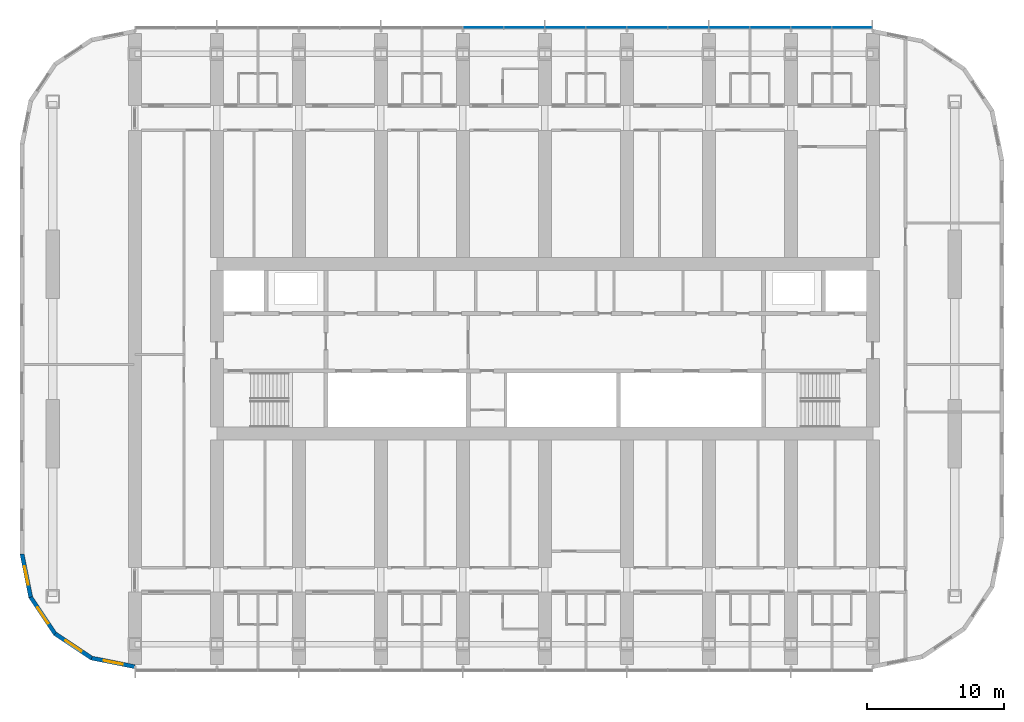
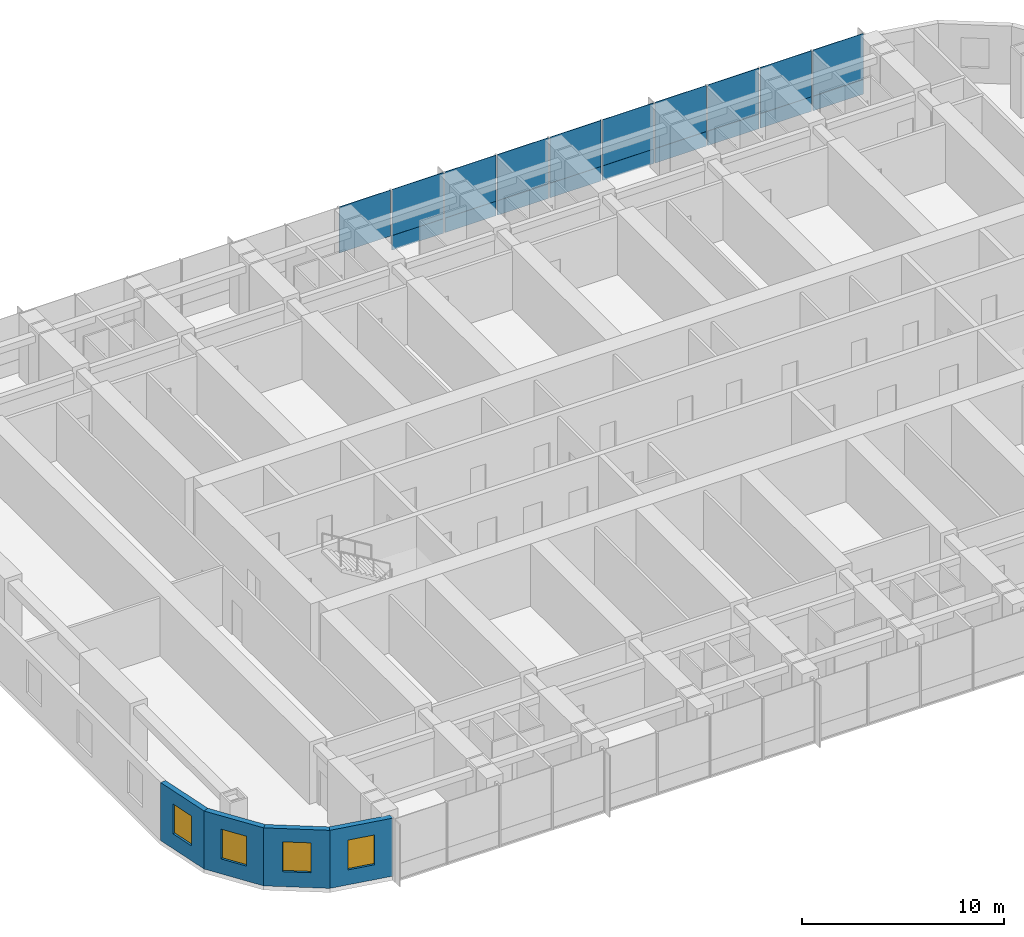
# One storey, part 7 of 21: 19 plates, 4 walls, 4 windows, 4 openings, 1 element without a shape of its own.
"""IFC4 building model written with IfcOpenShell, lengths in metres."""

from ifc_helpers import new_model, si_unit, direction, frame, frame_2d, origin, origin_2d, place, context, subcontext, project, spatial, polyline, rectangle, outline, extrude, material, layer, layer_set, type_object, element, fill, aggregate, save


model = new_model("IFC4")

# Units and contexts
model_context = context("Model", 3, precision=1e-05, world=origin(), true_north=direction((0.0, 1.0)))
body_context = subcontext(model_context, "Body", "Model", "MODEL_VIEW")
ifc_project = project(units=[si_unit("LENGTHUNIT", "METRE"), si_unit("AREAUNIT", "SQUARE_METRE"), si_unit("VOLUMEUNIT", "CUBIC_METRE"), si_unit("PLANEANGLEUNIT", "RADIAN"), si_unit("MASSUNIT", "GRAM", prefix="KILO")], contexts=[model_context])

# Site, building, storey
site_placement = place(None, origin())
site = spatial("IfcSite", under=ifc_project, at=site_placement, CompositionType="ELEMENT")
building_placement = place(site_placement, origin())
building = spatial("IfcBuilding", under=site, at=building_placement, Name="Orbita Commons", CompositionType="ELEMENT")
storey_placement = place(building_placement, frame((0.0, 0.0, 91.89990234375)))
storey = spatial("IfcBuildingStorey", under=building, at=storey_placement, Name="L22", CompositionType="ELEMENT", Elevation=91.89990234375)

# Curtain wall, plates
ifc_material_1 = material(Name="Anodised aluminium frame, pale silver", Category="aluminium")
curtain_wall_type = type_object("IfcCurtainWallType", Name="Unitised curtain wall CW-T, vision and spandrel", PredefinedType="NOTDEFINED", material=ifc_material_1)
curtain_wall_placement = place(storey_placement, origin())
curtain_wall = element("IfcCurtainWall", 1, at=curtain_wall_placement, inside=storey, type_object=curtain_wall_type, Name="Curtain wall north L22", PredefinedType="NOTDEFINED")
ifc_material_2 = material(Name="Anodised aluminium sheet on mineral wool", Category="aluminium")
ifc_layer_1 = layer(ifc_material_2, 0.050048828125)
ifc_layer_set_1 = layer_set([ifc_layer_1], Name="Anodised aluminium sheet on mineral wool")
plate_type_1 = type_object("IfcPlateType", Name="Spandrel panel, pale aluminium over insulation 50", PredefinedType="CURTAIN_PANEL", material=ifc_layer_set_1)
plate_1_placement = place(storey_placement, frame((64.47998046875, 55.510009765625, -0.14990234375), z_axis=(0.0, 0.0, 1.0), x_axis=(-1.0, 0.0, 0.0)))
plate_1 = element("IfcPlate", 2, at=plate_1_placement, type_object=plate_type_1, Name="Panel 1.1 CW-L22-N", PredefinedType="CURTAIN_PANEL", context=body_context, shape_type="SweptSolid", body=[
    extrude(rectangle(XDim=2.8798828125, YDim=0.050048828125, at=origin_2d()), origin(), (0.0, 0.0, 1.0), 0.875),
])
plate_2_placement = place(storey_placement, frame((61.5, 55.510009765625, -0.14990234375), z_axis=(0.0, 0.0, 1.0), x_axis=(-1.0, 0.0, 0.0)))
plate_2 = element("IfcPlate", 3, at=plate_2_placement, type_object=plate_type_1, Name="Panel 2.1 CW-L22-N", PredefinedType="CURTAIN_PANEL", context=body_context, shape_type="SweptSolid", body=[
    extrude(rectangle(XDim=2.919921875, YDim=0.050048828125, at=origin_2d()), origin(), (0.0, 0.0, 1.0), 0.875),
])
plate_3_placement = place(storey_placement, frame((58.5, 55.510009765625, -0.14990234375), z_axis=(0.0, 0.0, 1.0), x_axis=(-1.0, 0.0, 0.0)))
plate_3 = element("IfcPlate", 4, at=plate_3_placement, type_object=plate_type_1, Name="Panel 3.1 CW-L22-N", PredefinedType="CURTAIN_PANEL", context=body_context, shape_type="SweptSolid", body=[
    extrude(rectangle(XDim=2.919921875, YDim=0.050048828125, at=origin_2d()), origin(), (0.0, 0.0, 1.0), 0.875),
])
plate_4_placement = place(storey_placement, frame((55.5, 55.510009765625, -0.14990234375), z_axis=(0.0, 0.0, 1.0), x_axis=(-1.0, 0.0, 0.0)))
plate_4 = element("IfcPlate", 5, at=plate_4_placement, type_object=plate_type_1, Name="Panel 4.1 CW-L22-N", PredefinedType="CURTAIN_PANEL", context=body_context, shape_type="SweptSolid", body=[
    extrude(rectangle(XDim=2.919921875, YDim=0.050048828125, at=origin_2d()), origin(), (0.0, 0.0, 1.0), 0.875),
])
plate_5_placement = place(storey_placement, frame((52.5, 55.510009765625, -0.14990234375), z_axis=(0.0, 0.0, 1.0), x_axis=(-1.0, 0.0, 0.0)))
plate_5 = element("IfcPlate", 6, at=plate_5_placement, type_object=plate_type_1, Name="Panel 5.1 CW-L22-N", PredefinedType="CURTAIN_PANEL", context=body_context, shape_type="SweptSolid", body=[
    extrude(rectangle(XDim=2.919921875, YDim=0.050048828125, at=origin_2d()), origin(), (0.0, 0.0, 1.0), 0.875),
])
plate_6_placement = place(storey_placement, frame((49.5, 55.510009765625, -0.14990234375), z_axis=(0.0, 0.0, 1.0), x_axis=(-1.0, 0.0, 0.0)))
plate_6 = element("IfcPlate", 7, at=plate_6_placement, type_object=plate_type_1, Name="Panel 6.1 CW-L22-N", PredefinedType="CURTAIN_PANEL", context=body_context, shape_type="SweptSolid", body=[
    extrude(rectangle(XDim=2.919921875, YDim=0.050048828125, at=origin_2d()), origin(), (0.0, 0.0, 1.0), 0.875),
])
plate_7_placement = place(storey_placement, frame((46.5, 55.510009765625, -0.14990234375), z_axis=(0.0, 0.0, 1.0), x_axis=(-1.0, 0.0, 0.0)))
plate_7 = element("IfcPlate", 8, at=plate_7_placement, type_object=plate_type_1, Name="Panel 7.1 CW-L22-N", PredefinedType="CURTAIN_PANEL", context=body_context, shape_type="SweptSolid", body=[
    extrude(rectangle(XDim=2.919921875, YDim=0.050048828125, at=origin_2d()), origin(), (0.0, 0.0, 1.0), 0.875),
])
plate_8_placement = place(storey_placement, frame((43.5, 55.510009765625, -0.14990234375), z_axis=(0.0, 0.0, 1.0), x_axis=(-1.0, 0.0, 0.0)))
plate_8 = element("IfcPlate", 9, at=plate_8_placement, type_object=plate_type_1, Name="Panel 8.1 CW-L22-N", PredefinedType="CURTAIN_PANEL", context=body_context, shape_type="SweptSolid", body=[
    extrude(rectangle(XDim=2.919921875, YDim=0.050048828125, at=origin_2d()), origin(), (0.0, 0.0, 1.0), 0.875),
])
plate_9_placement = place(storey_placement, frame((40.5, 55.510009765625, -0.14990234375), z_axis=(0.0, 0.0, 1.0), x_axis=(-1.0, 0.0, 0.0)))
plate_9 = element("IfcPlate", 10, at=plate_9_placement, type_object=plate_type_1, Name="Panel 9.1 CW-L22-N", PredefinedType="CURTAIN_PANEL", context=body_context, shape_type="SweptSolid", body=[
    extrude(rectangle(XDim=2.919921875, YDim=0.050048828125, at=origin_2d()), origin(), (0.0, 0.0, 1.0), 0.875),
])
ifc_material_3 = material(Name="Clear double glazing", Category="glass")
ifc_layer_2 = layer(ifc_material_3, 0.031982421875)
ifc_layer_set_2 = layer_set([ifc_layer_2], Name="Clear double glazing")
plate_type_2 = type_object("IfcPlateType", Name="Vision panel, clear double glazing 32", PredefinedType="CURTAIN_PANEL", material=ifc_layer_set_2)
plate_10_placement = place(storey_placement, frame((64.47998046875, 55.510009765625, 0.72509765625), z_axis=(0.0, 0.0, 1.0), x_axis=(-1.0, 0.0, 0.0)))
plate_10 = element("IfcPlate", 11, at=plate_10_placement, type_object=plate_type_2, Name="Panel 1.2 CW-L22-N", PredefinedType="CURTAIN_PANEL", context=body_context, shape_type="SweptSolid", body=[
    extrude(rectangle(XDim=2.8798828125, YDim=0.031982421875, at=origin_2d()), origin(), (0.0, 0.0, 1.0), 2.77490234375),
])
plate_11_placement = place(storey_placement, frame((61.5, 55.510009765625, 0.72509765625), z_axis=(0.0, 0.0, 1.0), x_axis=(-1.0, 0.0, 0.0)))
plate_11 = element("IfcPlate", 12, at=plate_11_placement, type_object=plate_type_2, Name="Panel 2.2 CW-L22-N", PredefinedType="CURTAIN_PANEL", context=body_context, shape_type="SweptSolid", body=[
    extrude(rectangle(XDim=2.919921875, YDim=0.031982421875, at=origin_2d()), origin(), (0.0, 0.0, 1.0), 2.77490234375),
])
plate_12_placement = place(storey_placement, frame((58.5, 55.510009765625, 0.72509765625), z_axis=(0.0, 0.0, 1.0), x_axis=(-1.0, 0.0, 0.0)))
plate_12 = element("IfcPlate", 13, at=plate_12_placement, type_object=plate_type_2, Name="Panel 3.2 CW-L22-N", PredefinedType="CURTAIN_PANEL", context=body_context, shape_type="SweptSolid", body=[
    extrude(rectangle(XDim=2.919921875, YDim=0.031982421875, at=origin_2d()), origin(), (0.0, 0.0, 1.0), 2.77490234375),
])
plate_13_placement = place(storey_placement, frame((55.5, 55.510009765625, 0.72509765625), z_axis=(0.0, 0.0, 1.0), x_axis=(-1.0, 0.0, 0.0)))
plate_13 = element("IfcPlate", 14, at=plate_13_placement, type_object=plate_type_2, Name="Panel 4.2 CW-L22-N", PredefinedType="CURTAIN_PANEL", context=body_context, shape_type="SweptSolid", body=[
    extrude(rectangle(XDim=2.919921875, YDim=0.031982421875, at=origin_2d()), origin(), (0.0, 0.0, 1.0), 2.77490234375),
])
plate_14_placement = place(storey_placement, frame((52.5, 55.510009765625, 0.72509765625), z_axis=(0.0, 0.0, 1.0), x_axis=(-1.0, 0.0, 0.0)))
plate_14 = element("IfcPlate", 15, at=plate_14_placement, type_object=plate_type_2, Name="Panel 5.2 CW-L22-N", PredefinedType="CURTAIN_PANEL", context=body_context, shape_type="SweptSolid", body=[
    extrude(rectangle(XDim=2.919921875, YDim=0.031982421875, at=origin_2d()), origin(), (0.0, 0.0, 1.0), 2.77490234375),
])
plate_15_placement = place(storey_placement, frame((49.5, 55.510009765625, 0.72509765625), z_axis=(0.0, 0.0, 1.0), x_axis=(-1.0, 0.0, 0.0)))
plate_15 = element("IfcPlate", 16, at=plate_15_placement, type_object=plate_type_2, Name="Panel 6.2 CW-L22-N", PredefinedType="CURTAIN_PANEL", context=body_context, shape_type="SweptSolid", body=[
    extrude(rectangle(XDim=2.919921875, YDim=0.031982421875, at=origin_2d()), origin(), (0.0, 0.0, 1.0), 2.77490234375),
])
plate_16_placement = place(storey_placement, frame((46.5, 55.510009765625, 0.72509765625), z_axis=(0.0, 0.0, 1.0), x_axis=(-1.0, 0.0, 0.0)))
plate_16 = element("IfcPlate", 17, at=plate_16_placement, type_object=plate_type_2, Name="Panel 7.2 CW-L22-N", PredefinedType="CURTAIN_PANEL", context=body_context, shape_type="SweptSolid", body=[
    extrude(rectangle(XDim=2.919921875, YDim=0.031982421875, at=origin_2d()), origin(), (0.0, 0.0, 1.0), 2.77490234375),
])
plate_17_placement = place(storey_placement, frame((43.5, 55.510009765625, 0.72509765625), z_axis=(0.0, 0.0, 1.0), x_axis=(-1.0, 0.0, 0.0)))
plate_17 = element("IfcPlate", 18, at=plate_17_placement, type_object=plate_type_2, Name="Panel 8.2 CW-L22-N", PredefinedType="CURTAIN_PANEL", context=body_context, shape_type="SweptSolid", body=[
    extrude(rectangle(XDim=2.919921875, YDim=0.031982421875, at=origin_2d()), origin(), (0.0, 0.0, 1.0), 2.77490234375),
])
plate_18_placement = place(storey_placement, frame((40.5, 55.510009765625, 0.72509765625), z_axis=(0.0, 0.0, 1.0), x_axis=(-1.0, 0.0, 0.0)))
plate_18 = element("IfcPlate", 19, at=plate_18_placement, type_object=plate_type_2, Name="Panel 9.2 CW-L22-N", PredefinedType="CURTAIN_PANEL", context=body_context, shape_type="SweptSolid", body=[
    extrude(rectangle(XDim=2.919921875, YDim=0.031982421875, at=origin_2d()), origin(), (0.0, 0.0, 1.0), 2.77490234375),
])
plate_19_placement = place(storey_placement, frame((37.5, 55.510009765625, 0.72509765625), z_axis=(0.0, 0.0, 1.0), x_axis=(-1.0, 0.0, 0.0)))
plate_19 = element("IfcPlate", 20, at=plate_19_placement, type_object=plate_type_2, Name="Panel 10.2 CW-L22-N", PredefinedType="CURTAIN_PANEL", context=body_context, shape_type="SweptSolid", body=[
    extrude(rectangle(XDim=2.919921875, YDim=0.031982421875, at=origin_2d()), origin(), (0.0, 0.0, 1.0), 2.77490234375),
])
aggregate(curtain_wall, [plate_1, plate_10, plate_2, plate_11, plate_3, plate_12, plate_4, plate_13, plate_5, plate_14, plate_6, plate_15, plate_7, plate_16, plate_8, plate_17, plate_9, plate_18, plate_19])

# Wall, opening, window
ifc_material_4 = material(Name="Precast concrete C40/50, white board-marked finish", Category="concrete")
ifc_layer_3 = layer(ifc_material_4, 0.300048828125)
ifc_layer_set_3 = layer_set([ifc_layer_3], Name="Precast concrete C40/50, white board-marked finish")
wall_type = type_object("IfcWallType", Name="Precast concrete end shield 300", PredefinedType="SOLIDWALL", material=ifc_layer_set_3)
wall_1_placement = place(storey_placement, frame((3.75, 17.0, 0.0), z_axis=(0.0, 0.0, 1.0), x_axis=(0.195080412259, -0.980787251524, 0.0)))
wall_1 = element("IfcWall", 21, at=wall_1_placement, inside=storey, type_object=wall_type, Name="End shield SW chord 1 L22", PredefinedType="SOLIDWALL", context=body_context, shape_type="SweptSolid", body=[
    extrude(outline(polyline([(-0.014892578125, -0.14990234375), (3.24853515625, -0.14990234375), (3.18896484375, 0.14990234375), (0.014892578125, 0.14990234375), (-0.014892578125, -0.14990234375)])), origin(), (0.0, 0.0, 1.0), 3.5),
])
opening_1_placement = place(wall_1_placement, frame((0.909423828125, 0.0, 0.89990234375)))
opening_1 = element("IfcOpeningElement", 22, at=opening_1_placement, cuts=wall_1, Name="Opening W02", PredefinedType="OPENING", context=body_context, shape_type="SweptSolid", body=[
    extrude(rectangle(XDim=1.39990234375, YDim=1.800048828125, at=frame_2d((0.699951171875, 0.89990234375))), frame((0.0, 0.159912109375, 0.0), z_axis=(0.0, -1.0, 0.0), x_axis=(1.0, 0.0, 0.0)), (0.0, 0.0, 1.0), 0.320068359375),
])
ifc_material_5 = material(Name="Aluminium frame, clear double glazing", Category="aluminium")
window_type = type_object("IfcWindowType", Name="Deep-set window 1400x1800", PartitioningType="SINGLE_PANEL", PredefinedType="WINDOW", material=ifc_material_5)
window_1_placement = place(opening_1_placement, origin())
window_1 = element("IfcWindow", 23, at=window_1_placement, inside=storey, type_object=window_type, Name="Window L22-SW0", OverallHeight=1.800048828125, OverallWidth=1.39990234375, PartitioningType="SINGLE_PANEL", PredefinedType="WINDOW", context=body_context, shape_type="SweptSolid", body=[
    extrude(rectangle(XDim=1.39990234375, YDim=1.800048828125, at=frame_2d((0.699951171875, 0.89990234375))), frame((0.0, 0.030029296875, 0.0), z_axis=(0.0, -1.0, 0.0), x_axis=(1.0, 0.0, 0.0)), (0.0, 0.0, 1.0), 0.06005859375),
])
fill(opening_1, window_1)

wall_2_placement = place(storey_placement, frame((4.3779296875, 13.843017578125, 0.0), z_axis=(0.0, 0.0, 1.0), x_axis=(0.555609954424, -0.831443069936, 0.0)))
wall_2 = element("IfcWall", 24, at=wall_2_placement, inside=storey, type_object=wall_type, Name="End shield SW chord 2 L22", PredefinedType="SOLIDWALL", context=body_context, shape_type="SweptSolid", body=[
    extrude(outline(polyline([(-0.02978515625, -0.14990234375), (3.2490234375, -0.14990234375), (3.189453125, 0.14990234375), (0.02978515625, 0.14990234375), (-0.02978515625, -0.14990234375)])), origin(), (0.0, 0.0, 1.0), 3.5),
])
opening_2_placement = place(wall_2_placement, frame((0.909423828125, 0.0, 0.89990234375)))
opening_2 = element("IfcOpeningElement", 25, at=opening_2_placement, cuts=wall_2, Name="Opening W02", PredefinedType="OPENING", context=body_context, shape_type="SweptSolid", body=[
    extrude(rectangle(XDim=1.39990234375, YDim=1.800048828125, at=frame_2d((0.699951171875, 0.89990234375))), frame((0.0, 0.159912109375, 0.0), z_axis=(0.0, -1.0, 0.0), x_axis=(1.0, 0.0, 0.0)), (0.0, 0.0, 1.0), 0.320068359375),
])
window_2_placement = place(opening_2_placement, origin())
window_2 = element("IfcWindow", 26, at=window_2_placement, inside=storey, type_object=window_type, Name="Window L22-SW1", OverallHeight=1.800048828125, OverallWidth=1.39990234375, PartitioningType="SINGLE_PANEL", PredefinedType="WINDOW", context=body_context, shape_type="SweptSolid", body=[
    extrude(rectangle(XDim=1.39990234375, YDim=1.800048828125, at=frame_2d((0.699951171875, 0.89990234375))), frame((0.0, 0.030029296875, 0.0), z_axis=(0.0, -1.0, 0.0), x_axis=(1.0, 0.0, 0.0)), (0.0, 0.0, 1.0), 0.06005859375),
])
fill(opening_2, window_2)

wall_3_placement = place(storey_placement, frame((6.16650390625, 11.16650390625, 0.0), z_axis=(0.0, 0.0, 1.0), x_axis=(0.831443069936, -0.555609954424, 0.0)))
wall_3 = element("IfcWall", 27, at=wall_3_placement, inside=storey, type_object=wall_type, Name="End shield SW chord 3 L22", PredefinedType="SOLIDWALL", context=body_context, shape_type="SweptSolid", body=[
    extrude(outline(polyline([(-0.02978515625, -0.14990234375), (3.2490234375, -0.14990234375), (3.189453125, 0.14990234375), (0.02978515625, 0.14990234375), (-0.02978515625, -0.14990234375)])), origin(), (0.0, 0.0, 1.0), 3.5),
])
opening_3_placement = place(wall_3_placement, frame((0.909423828125, 0.0, 0.89990234375)))
opening_3 = element("IfcOpeningElement", 28, at=opening_3_placement, cuts=wall_3, Name="Opening W02", PredefinedType="OPENING", context=body_context, shape_type="SweptSolid", body=[
    extrude(rectangle(XDim=1.39990234375, YDim=1.800048828125, at=frame_2d((0.699951171875, 0.89990234375))), frame((0.0, 0.159912109375, 0.0), z_axis=(0.0, -1.0, 0.0), x_axis=(1.0, 0.0, 0.0)), (0.0, 0.0, 1.0), 0.320068359375),
])
window_3_placement = place(opening_3_placement, origin())
window_3 = element("IfcWindow", 29, at=window_3_placement, inside=storey, type_object=window_type, Name="Window L22-SW2", OverallHeight=1.800048828125, OverallWidth=1.39990234375, PartitioningType="SINGLE_PANEL", PredefinedType="WINDOW", context=body_context, shape_type="SweptSolid", body=[
    extrude(rectangle(XDim=1.39990234375, YDim=1.800048828125, at=frame_2d((0.699951171875, 0.89990234375))), frame((0.0, 0.030029296875, 0.0), z_axis=(0.0, -1.0, 0.0), x_axis=(1.0, 0.0, 0.0)), (0.0, 0.0, 1.0), 0.06005859375),
])
fill(opening_3, window_3)

wall_4_placement = place(storey_placement, frame((8.843017578125, 9.3779296875, 0.0), z_axis=(0.0, 0.0, 1.0), x_axis=(0.980787251524, -0.195080412259, 0.0)))
wall_4 = element("IfcWall", 30, at=wall_4_placement, inside=storey, type_object=wall_type, Name="End shield SW chord 4 L22", PredefinedType="SOLIDWALL", context=body_context, shape_type="SweptSolid", body=[
    extrude(outline(polyline([(-0.02978515625, -0.14990234375), (3.24853515625, -0.14990234375), (3.18896484375, 0.14990234375), (0.02978515625, 0.14990234375), (-0.02978515625, -0.14990234375)])), origin(), (0.0, 0.0, 1.0), 3.5),
])
opening_4_placement = place(wall_4_placement, frame((0.909423828125, 0.0, 0.89990234375)))
opening_4 = element("IfcOpeningElement", 31, at=opening_4_placement, cuts=wall_4, Name="Opening W02", PredefinedType="OPENING", context=body_context, shape_type="SweptSolid", body=[
    extrude(rectangle(XDim=1.39990234375, YDim=1.800048828125, at=frame_2d((0.699951171875, 0.89990234375))), frame((0.0, 0.159912109375, 0.0), z_axis=(0.0, -1.0, 0.0), x_axis=(1.0, 0.0, 0.0)), (0.0, 0.0, 1.0), 0.320068359375),
])
window_4_placement = place(opening_4_placement, origin())
window_4 = element("IfcWindow", 32, at=window_4_placement, inside=storey, type_object=window_type, Name="Window L22-SW3", OverallHeight=1.800048828125, OverallWidth=1.39990234375, PartitioningType="SINGLE_PANEL", PredefinedType="WINDOW", context=body_context, shape_type="SweptSolid", body=[
    extrude(rectangle(XDim=1.39990234375, YDim=1.800048828125, at=frame_2d((0.699951171875, 0.89990234375))), frame((0.0, 0.030029296875, 0.0), z_axis=(0.0, -1.0, 0.0), x_axis=(1.0, 0.0, 0.0)), (0.0, 0.0, 1.0), 0.06005859375),
])
fill(opening_4, window_4)

save(model, "model.ifc")
